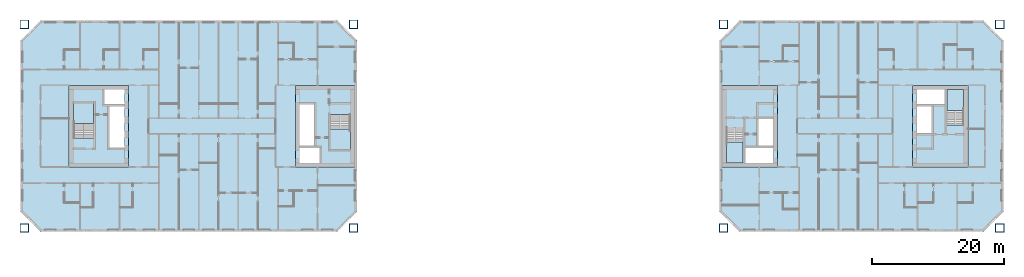
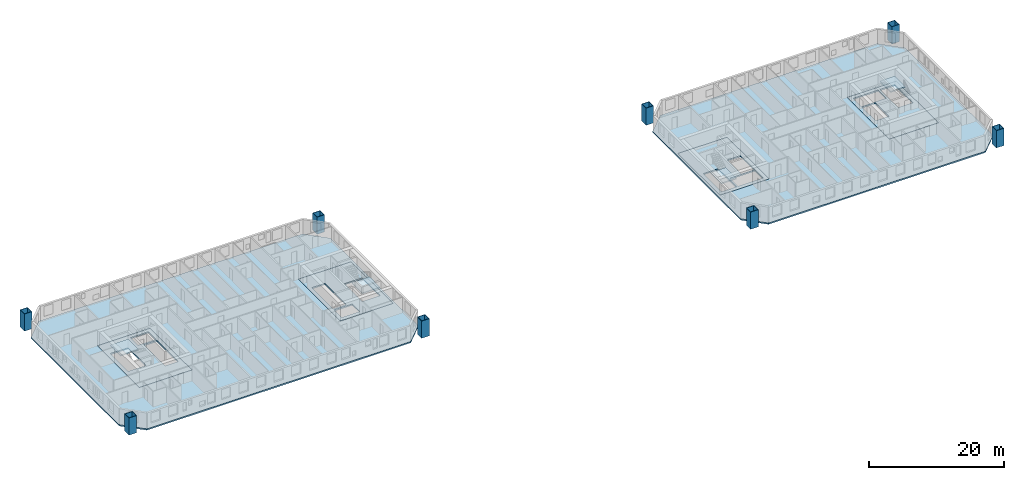
# One storey, part 1 of 17: 10 slabs, 8 columns, 4 elements without a shape of their own.
"""IFC4 building model written with IfcOpenShell, lengths in metres."""

from ifc_helpers import new_model, si_unit, direction, frame, origin, origin_2d, place, context, subcontext, project, spatial, polyline, hollow_rectangle, outline, extrude, material, layer, layer_set, material_profile, profile_set, type_object, element, aggregate, save


model = new_model("IFC4")

# Units and contexts
model_context = context("Model", 3, precision=1e-05, world=origin(), true_north=direction((0.0, 1.0)))
body_context = subcontext(model_context, "Body", "Model", "MODEL_VIEW")
ifc_project = project(units=[si_unit("LENGTHUNIT", "METRE"), si_unit("AREAUNIT", "SQUARE_METRE"), si_unit("VOLUMEUNIT", "CUBIC_METRE"), si_unit("PLANEANGLEUNIT", "RADIAN"), si_unit("MASSUNIT", "GRAM", prefix="KILO")], contexts=[model_context])

# Site, building, storey
site_placement = place(None, origin())
site = spatial("IfcSite", under=ifc_project, at=site_placement, CompositionType="ELEMENT")
building_placement = place(site_placement, origin())
building = spatial("IfcBuilding", under=site, at=building_placement, Name="Tuart Gate Housing", CompositionType="ELEMENT")
storey_placement = place(building_placement, frame((0.0, 0.0, 102.60009765625)))
storey = spatial("IfcBuildingStorey", under=building, at=storey_placement, Name="L28", CompositionType="ELEMENT", Elevation=102.60009765625)

# Columns
ifc_material_1 = material(Name="Steel Grade 350", Category="steel")
ifc_material_profile = material_profile(ifc_material_1, hollow_rectangle(XDim=1.300048828125, YDim=1.300048828125, WallThickness=0.070068359375, at=origin_2d()), Name="BOX 1300x1300x70")
ifc_profile_set = profile_set([ifc_material_profile], Name="Steel Grade 350")
column_type = type_object("IfcColumnType", Name="Mega column BOX 1300x1300x70", PredefinedType="COLUMN", material=ifc_profile_set)
for number, where, z_axis, x_axis, name in (
    (1, (25.550048828125, 54.550048828125, 0.0), (0.0, 0.0, 1.0), (1.0, 0.0, 0.0), "Mega column A south-west L28"),
    (2, (75.449951171875, 54.550048828125, 0.0), (0.0, 0.0, 1.0), (1.0, 0.0, 0.0), "Mega column A south-east L28"),
    (3, (75.449951171875, 85.449951171875, 0.0), (0.0, 0.0, 1.0), (1.0, 0.0, 0.0), "Mega column A north-east L28"),
    (4, (25.550048828125, 85.449951171875, 0.0), (0.0, 0.0, 1.0), (1.0, 0.0, 0.0), "Mega column A north-west L28"),
    (5, (131.550048828125, 54.550048828125, 0.0), (0.0, 0.0, 1.0), (1.0, 0.0, 0.0), "Mega column B south-west L28"),
    (6, (173.449951171875, 54.550048828125, 0.0), (0.0, 0.0, 1.0), (1.0, 0.0, 0.0), "Mega column B south-east L28"),
    (7, (173.449951171875, 85.449951171875, 0.0), (0.0, 0.0, 1.0), (1.0, 0.0, 0.0), "Mega column B north-east L28"),
    (8, (131.550048828125, 85.449951171875, 0.0), (0.0, 0.0, 1.0), (1.0, 0.0, 0.0), "Mega column B north-west L28"),
):
    element("IfcColumn", number, at=place(storey_placement, frame(where, z_axis=z_axis, x_axis=x_axis)), inside=storey, type_object=column_type, Name=name, PredefinedType="COLUMN", context=body_context, shape_type="SweptSolid", body=[
        extrude(hollow_rectangle(XDim=1.300048828125, YDim=1.300048828125, WallThickness=0.070068359375, at=origin_2d()), origin(), (0.0, 0.0, 1.0), 3.099853515625),
    ])

# Slabs
ifc_material_2 = material(Name="Concrete C40", Category="concrete")
ifc_layer_1 = layer(ifc_material_2, 0.25)
ifc_layer_set_1 = layer_set([ifc_layer_1], Name="Core floor slab 250")
slab_type_1 = type_object("IfcSlabType", Name="Core floor slab 250", PredefinedType="FLOOR", material=ifc_layer_set_1)
slab_1_placement = place(storey_placement, frame((0.0, 0.0, -0.25)))
element("IfcSlab", 9, at=slab_1_placement, inside=storey, type_object=slab_type_1, Name="Core floor AG", PredefinedType="FLOOR", context=body_context, shape_type="SweptSolid", body=[
    extrude(outline(polyline([(66.639892578125, 63.800048828125), (75.639892578125, 63.800048828125), (75.639892578125, 76.199951171875), (66.639892578125, 76.199951171875), (66.639892578125, 63.800048828125)]), holes=[polyline([(67.2900390625, 64.449951171875), (70.360107421875, 64.449951171875), (70.360107421875, 66.699951171875), (67.2900390625, 66.699951171875), (67.2900390625, 64.449951171875)]), polyline([(67.2900390625, 67.0), (69.5400390625, 67.0), (69.5400390625, 73.300048828125), (67.2900390625, 73.300048828125), (67.2900390625, 67.0)]), polyline([(71.93994140625, 66.5), (74.989990234375, 66.5), (74.989990234375, 71.780029296875), (71.93994140625, 71.780029296875), (71.93994140625, 66.5)])]), origin(), (0.0, 0.0, 1.0), 0.25),
])
slab_2_placement = place(storey_placement, frame((0.0, 0.0, -0.25)))
element("IfcSlab", 10, at=slab_2_placement, inside=storey, type_object=slab_type_1, Name="Core floor AK", PredefinedType="FLOOR", context=body_context, shape_type="SweptSolid", body=[
    extrude(outline(polyline([(32.360107421875, 63.800048828125), (41.360107421875, 63.800048828125), (41.360107421875, 76.199951171875), (32.360107421875, 76.199951171875), (32.360107421875, 63.800048828125)]), holes=[polyline([(40.7099609375, 75.550048828125), (37.639892578125, 75.550048828125), (37.639892578125, 73.300048828125), (40.7099609375, 73.300048828125), (40.7099609375, 75.550048828125)]), polyline([(40.7099609375, 73.0), (38.4599609375, 73.0), (38.4599609375, 66.699951171875), (40.7099609375, 66.699951171875), (40.7099609375, 73.0)]), polyline([(36.06005859375, 73.5), (33.010009765625, 73.5), (33.010009765625, 68.219970703125), (36.06005859375, 68.219970703125), (36.06005859375, 73.5)])]), origin(), (0.0, 0.0, 1.0), 0.25),
])
slab_3_placement = place(storey_placement, frame((0.0, 0.0, -0.25)))
element("IfcSlab", 11, at=slab_3_placement, inside=storey, type_object=slab_type_1, Name="Core floor BG", PredefinedType="FLOOR", context=body_context, shape_type="SweptSolid", body=[
    extrude(outline(polyline([(131.360107421875, 63.800048828125), (139.760009765625, 63.800048828125), (139.760009765625, 76.199951171875), (131.360107421875, 76.199951171875), (131.360107421875, 63.800048828125)]), holes=[polyline([(139.110107421875, 66.85009765625), (134.860107421875, 66.85009765625), (134.860107421875, 64.449951171875), (139.110107421875, 64.449951171875), (139.110107421875, 66.85009765625)]), polyline([(139.110107421875, 71.10009765625), (136.860107421875, 71.10009765625), (136.860107421875, 67.0), (139.110107421875, 67.0), (139.110107421875, 71.10009765625)]), polyline([(134.56005859375, 69.830078125), (132.010009765625, 69.830078125), (132.010009765625, 64.449951171875), (134.56005859375, 64.449951171875), (134.56005859375, 69.830078125)])]), origin(), (0.0, 0.0, 1.0), 0.25),
])
slab_4_placement = place(storey_placement, frame((0.0, 0.0, -0.25)))
element("IfcSlab", 12, at=slab_4_placement, inside=storey, type_object=slab_type_1, Name="Core floor BK", PredefinedType="FLOOR", context=body_context, shape_type="SweptSolid", body=[
    extrude(outline(polyline([(160.239990234375, 63.800048828125), (168.639892578125, 63.800048828125), (168.639892578125, 76.199951171875), (160.239990234375, 76.199951171875), (160.239990234375, 63.800048828125)]), holes=[polyline([(160.889892578125, 73.14990234375), (165.139892578125, 73.14990234375), (165.139892578125, 75.550048828125), (160.889892578125, 75.550048828125), (160.889892578125, 73.14990234375)]), polyline([(160.889892578125, 68.89990234375), (163.139892578125, 68.89990234375), (163.139892578125, 73.0), (160.889892578125, 73.0), (160.889892578125, 68.89990234375)]), polyline([(165.43994140625, 70.169921875), (167.989990234375, 70.169921875), (167.989990234375, 75.550048828125), (165.43994140625, 75.550048828125), (165.43994140625, 70.169921875)])]), origin(), (0.0, 0.0, 1.0), 0.25),
])
ifc_material_3 = material(Name="Concrete C40", Category="concrete")
ifc_layer_2 = layer(ifc_material_3, 0.25)
ifc_layer_set_2 = layer_set([ifc_layer_2], Name="Flat plate 250")
slab_type_2 = type_object("IfcSlabType", Name="Flat plate 250", PredefinedType="FLOOR", material=ifc_layer_set_2)
slab_5_placement = place(storey_placement, frame((0.0, 0.0, -0.25)))
element("IfcSlab", 13, at=slab_5_placement, inside=storey, type_object=slab_type_2, Name="Floor slab A L28", PredefinedType="FLOOR", context=body_context, shape_type="SweptSolid", body=[
    extrude(outline(polyline([(28.0, 86.0), (25.0, 83.0), (25.0, 57.0), (28.0, 54.0), (73.0, 54.0), (76.0, 57.0), (76.0, 83.0), (73.0, 86.0), (28.0, 86.0)]), holes=[polyline([(66.639892578125, 76.199951171875), (75.639892578125, 76.199951171875), (75.639892578125, 63.800048828125), (66.639892578125, 63.800048828125), (66.639892578125, 76.199951171875)]), polyline([(41.360107421875, 76.199951171875), (41.360107421875, 63.800048828125), (32.360107421875, 63.800048828125), (32.360107421875, 76.199951171875), (41.360107421875, 76.199951171875)])]), origin(), (0.0, 0.0, 1.0), 0.25),
])
slab_6_placement = place(storey_placement, frame((0.0, 0.0, -0.25)))
element("IfcSlab", 14, at=slab_6_placement, inside=storey, type_object=slab_type_2, Name="Floor slab B L28", PredefinedType="FLOOR", context=body_context, shape_type="SweptSolid", body=[
    extrude(outline(polyline([(134.0, 86.0), (131.0, 83.0), (131.0, 57.0), (134.0, 54.0), (171.0, 54.0), (174.0, 57.0), (174.0, 83.0), (171.0, 86.0), (134.0, 86.0)]), holes=[polyline([(131.360107421875, 76.199951171875), (139.760009765625, 76.199951171875), (139.760009765625, 63.800048828125), (131.360107421875, 63.800048828125), (131.360107421875, 76.199951171875)]), polyline([(168.639892578125, 76.199951171875), (168.639892578125, 63.800048828125), (160.239990234375, 63.800048828125), (160.239990234375, 76.199951171875), (168.639892578125, 76.199951171875)])]), origin(), (0.0, 0.0, 1.0), 0.25),
])

# Stair, slab
ifc_material_4 = material(Name="Concrete C40", Category="concrete")
stair_type_1 = type_object("IfcStairType", Name="Core stair 1500", PredefinedType="HALF_TURN_STAIR", material=ifc_material_4)
stair_1_placement = place(storey_placement, origin())
stair_1 = element("IfcStair", 15, at=stair_1_placement, inside=storey, type_object=stair_type_1, Name="Stair SA1", PredefinedType="HALF_TURN_STAIR")
ifc_material_5 = material(Name="Concrete C40", Category="concrete")
ifc_layer_3 = layer(ifc_material_5, 0.199951171875)
ifc_layer_set_3 = layer_set([ifc_layer_3], Name="Stair landing 200")
slab_type_3 = type_object("IfcSlabType", Name="Stair landing 200", PredefinedType="LANDING", material=ifc_layer_set_3)
slab_7_placement = place(storey_placement, frame((0.0, 0.0, 1.349853515625)))
slab_7 = element("IfcSlab", 16, at=slab_7_placement, type_object=slab_type_3, Name="SA1 landing 1", PredefinedType="LANDING", context=body_context, shape_type="SweptSolid", body=[
    extrude(outline(polyline([(71.93994140625, 66.5), (74.989990234375, 66.5), (74.989990234375, 69.56005859375), (71.93994140625, 69.56005859375), (71.93994140625, 66.5)])), origin(), (0.0, 0.0, 1.0), 0.199951171875),
])
aggregate(stair_1, [slab_7])

stair_2_placement = place(storey_placement, origin())
stair_2 = element("IfcStair", 17, at=stair_2_placement, inside=storey, type_object=stair_type_1, Name="Stair SA2", PredefinedType="HALF_TURN_STAIR")
slab_8_placement = place(storey_placement, frame((0.0, 0.0, 1.349853515625)))
slab_8 = element("IfcSlab", 18, at=slab_8_placement, type_object=slab_type_3, Name="SA2 landing 1", PredefinedType="LANDING", context=body_context, shape_type="SweptSolid", body=[
    extrude(outline(polyline([(36.06005859375, 73.5), (33.010009765625, 73.5), (33.010009765625, 70.43994140625), (36.06005859375, 70.43994140625), (36.06005859375, 73.5)])), origin(), (0.0, 0.0, 1.0), 0.199951171875),
])
aggregate(stair_2, [slab_8])

ifc_material_6 = material(Name="Concrete C40", Category="concrete")
stair_type_2 = type_object("IfcStairType", Name="Core stair 1250", PredefinedType="HALF_TURN_STAIR", material=ifc_material_6)
stair_3_placement = place(storey_placement, origin())
stair_3 = element("IfcStair", 19, at=stair_3_placement, inside=storey, type_object=stair_type_2, Name="Stair SB1", PredefinedType="HALF_TURN_STAIR")
slab_9_placement = place(storey_placement, frame((0.0, 0.0, 1.349853515625)))
slab_9 = element("IfcSlab", 20, at=slab_9_placement, type_object=slab_type_3, Name="SB1 landing 1", PredefinedType="LANDING", context=body_context, shape_type="SweptSolid", body=[
    extrude(outline(polyline([(134.56005859375, 67.610107421875), (132.010009765625, 67.610107421875), (132.010009765625, 64.449951171875), (134.56005859375, 64.449951171875), (134.56005859375, 67.610107421875)])), origin(), (0.0, 0.0, 1.0), 0.199951171875),
])
aggregate(stair_3, [slab_9])

stair_4_placement = place(storey_placement, origin())
stair_4 = element("IfcStair", 21, at=stair_4_placement, inside=storey, type_object=stair_type_2, Name="Stair SB2", PredefinedType="HALF_TURN_STAIR")
slab_10_placement = place(storey_placement, frame((0.0, 0.0, 1.349853515625)))
slab_10 = element("IfcSlab", 22, at=slab_10_placement, type_object=slab_type_3, Name="SB2 landing 1", PredefinedType="LANDING", context=body_context, shape_type="SweptSolid", body=[
    extrude(outline(polyline([(165.43994140625, 72.389892578125), (167.989990234375, 72.389892578125), (167.989990234375, 75.550048828125), (165.43994140625, 75.550048828125), (165.43994140625, 72.389892578125)])), origin(), (0.0, 0.0, 1.0), 0.199951171875),
])
aggregate(stair_4, [slab_10])

save(model, "model.ifc")
